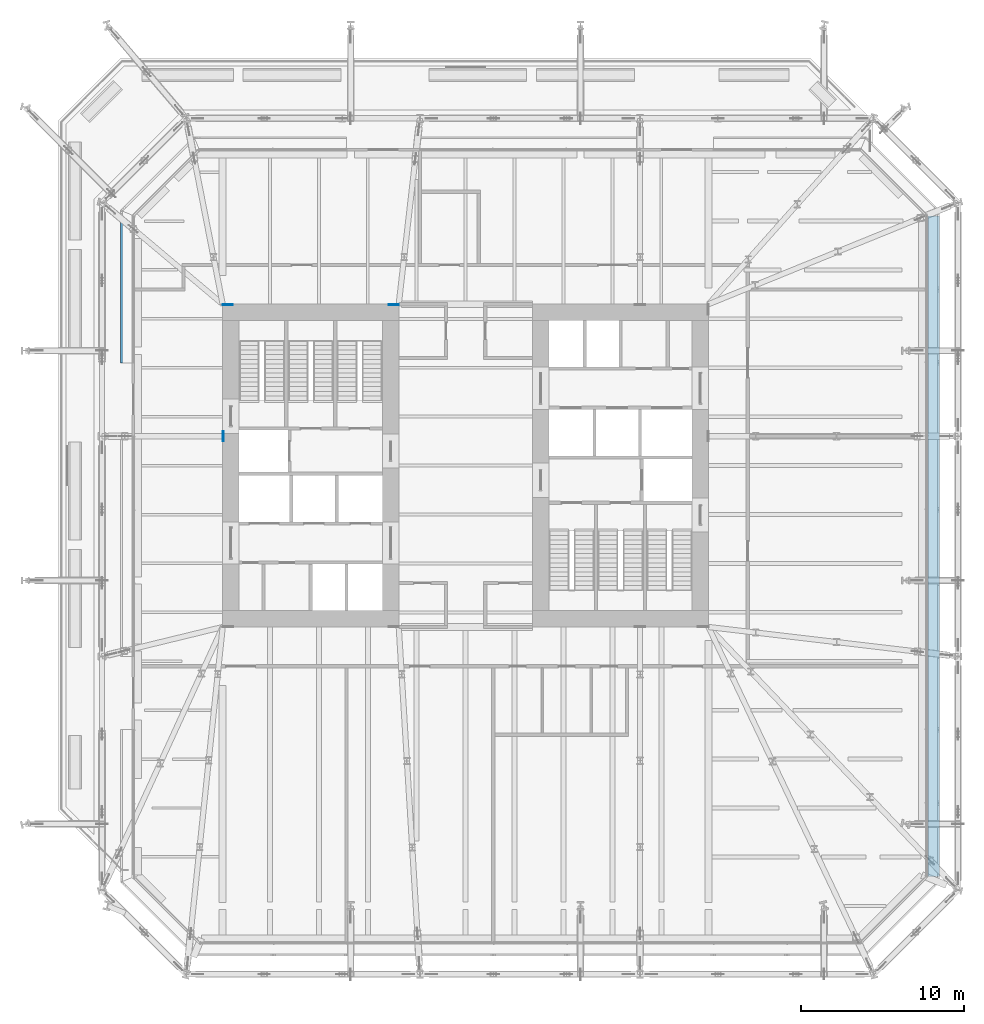
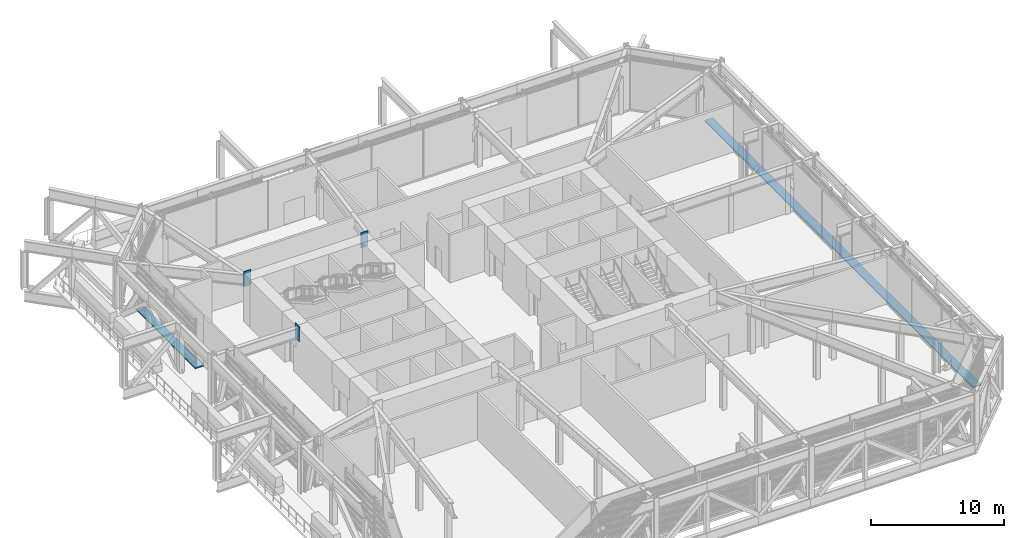
# One storey, part 21 of 29: 5 discrete accessories.
"""IFC4 building model written with IfcOpenShell, lengths in metres."""

from ifc_helpers import new_model, si_unit, direction, frame, origin, origin_2d, place, context, subcontext, project, spatial, rectangle, extrude, material, layer, layer_set, type_object, element, save


model = new_model("IFC4")

# Units and contexts
model_context = context("Model", 3, precision=1e-05, world=origin(), true_north=direction((0.0, 1.0)))
body_context = subcontext(model_context, "Body", "Model", "MODEL_VIEW")
ifc_project = project(units=[si_unit("LENGTHUNIT", "METRE"), si_unit("AREAUNIT", "SQUARE_METRE"), si_unit("VOLUMEUNIT", "CUBIC_METRE"), si_unit("PLANEANGLEUNIT", "RADIAN"), si_unit("MASSUNIT", "GRAM", prefix="KILO")], contexts=[model_context])

# Site, building, storey
site_placement = place(None, origin())
site = spatial("IfcSite", under=ifc_project, at=site_placement, CompositionType="ELEMENT")
building_placement = place(site_placement, origin())
building = spatial("IfcBuilding", under=site, at=building_placement, Name="Millrace Tower", CompositionType="ELEMENT")
storey_placement = place(building_placement, frame((0.0, 0.0, 68.60009765625)))
storey = spatial("IfcBuildingStorey", under=building, at=storey_placement, Name="L15", CompositionType="ELEMENT", Elevation=68.60009765625)

# Discrete accessories
ifc_material_1 = material(Name="Steel ASTM A572 Grade 50", Category="steel")
ifc_layer_1 = layer(ifc_material_1, 0.054931640625)
ifc_layer_set_1 = layer_set([ifc_layer_1], Name="Steel ASTM A572 Grade 50")
discrete_accessory_type_1 = type_object("IfcDiscreteAccessoryType", Name="Cast-in anchor plate 625x1395x55", PredefinedType="ANCHORPLATE", material=ifc_layer_set_1)
for number, where, z_axis, x_axis, name in (
    (1, (-4.41259765625, 9.844970703125, 3.9033203125), (0.0, 1.0, 0.0), (-1.0, 0.0, 0.0), "Cast-in anchor plate TRS-L15-C12-T03"),
    (2, (-14.844970703125, 1.800048828125, 3.9033203125), (-1.0, 0.0, 0.0), (0.0, -1.0, 0.0), "Cast-in anchor plate TRS-L15-C15-T02"),
):
    element("IfcDiscreteAccessory", number, at=place(storey_placement, frame(where, z_axis=z_axis, x_axis=x_axis)), inside=storey, type_object=discrete_accessory_type_1, Name=name, PredefinedType="ANCHORPLATE", context=body_context, shape_type="SweptSolid", body=[
        extrude(rectangle(XDim=0.625, YDim=1.39501953125, at=origin_2d()), origin(), (0.0, 0.0, 1.0), 0.054931640625),
    ])
ifc_material_2 = material(Name="Steel ASTM A572 Grade 50", Category="steel")
ifc_layer_2 = layer(ifc_material_2, 0.054931640625)
ifc_layer_set_2 = layer_set([ifc_layer_2], Name="Steel ASTM A572 Grade 50")
discrete_accessory_type_2 = type_object("IfcDiscreteAccessoryType", Name="Cast-in anchor plate 630x1395x55", PredefinedType="ANCHORPLATE", material=ifc_layer_set_2)
discrete_accessory_1_placement = place(storey_placement, frame((-14.5849609375, 9.844970703125, 3.9033203125), z_axis=(0.0, 1.0, 0.0), x_axis=(-1.0, 0.0, 0.0)))
element("IfcDiscreteAccessory", 3, at=discrete_accessory_1_placement, inside=storey, type_object=discrete_accessory_type_2, Name="Cast-in anchor plate TRS-L15-C13-T03", PredefinedType="ANCHORPLATE", context=body_context, shape_type="SweptSolid", body=[
    extrude(rectangle(XDim=0.6298828125, YDim=1.39501953125, at=origin_2d()), origin(), (0.0, 0.0, 1.0), 0.054931640625),
])
ifc_material_3 = material(Name="Stainless steel ASTM A240 type 316", Category="steel")
discrete_accessory_type_3 = type_object("IfcDiscreteAccessoryType", Name="Thermally broken screen support rail", PredefinedType="BRACKET", material=ifc_material_3)
discrete_accessory_2_placement = place(storey_placement, frame((28.7099609375, -4.949951171875, -0.000244140625), z_axis=(0.0, 0.0, 1.0), x_axis=(0.0, 1.0, 0.0)))
element("IfcDiscreteAccessory", 4, at=discrete_accessory_2_placement, inside=storey, type_object=discrete_accessory_type_3, Name="Thermally broken screen support rail B-F04 L15 1", PredefinedType="BRACKET", context=body_context, shape_type="SweptSolid", body=[
    extrude(rectangle(XDim=40.5, YDim=0.719970703125, at=origin_2d()), origin(), (0.0, 0.0, 1.0), 0.10009765625),
])
discrete_accessory_3_placement = place(storey_placement, frame((-20.81005859375, 10.800048828125, -0.000244140625), z_axis=(0.0, 0.0, 1.0), x_axis=(0.0, -1.0, 0.0)))
element("IfcDiscreteAccessory", 5, at=discrete_accessory_3_placement, inside=storey, type_object=discrete_accessory_type_3, Name="Thermally broken screen support rail B-F08 L15 1", PredefinedType="BRACKET", context=body_context, shape_type="SweptSolid", body=[
    extrude(rectangle(XDim=9.0, YDim=0.719970703125, at=origin_2d()), origin(), (0.0, 0.0, 1.0), 0.10009765625),
])

save(model, "model.ifc")
